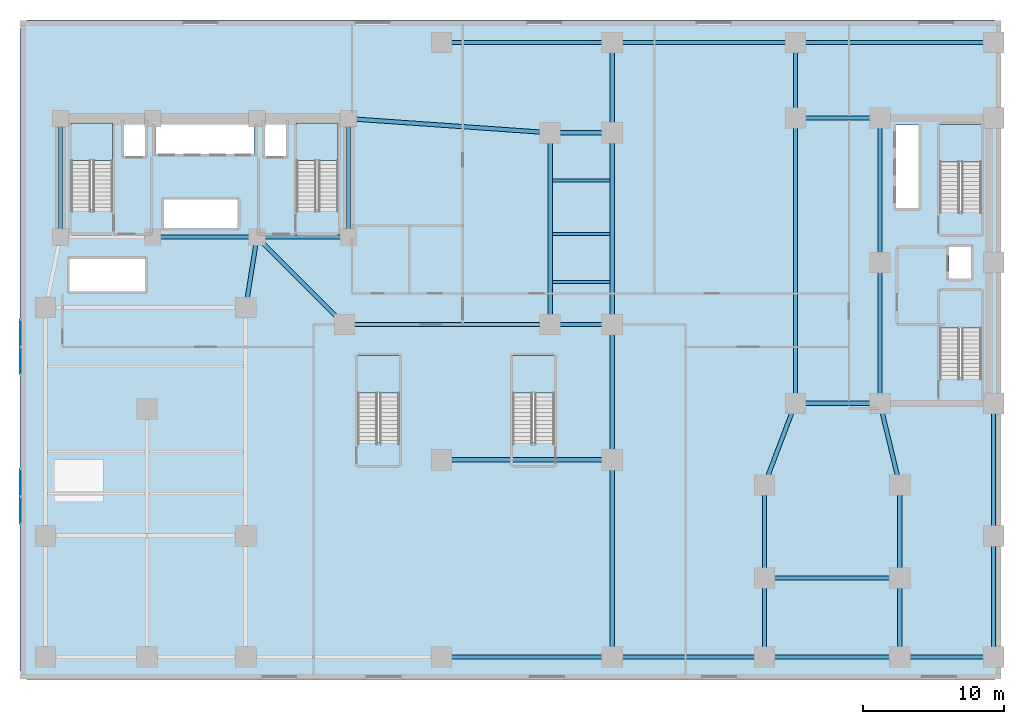
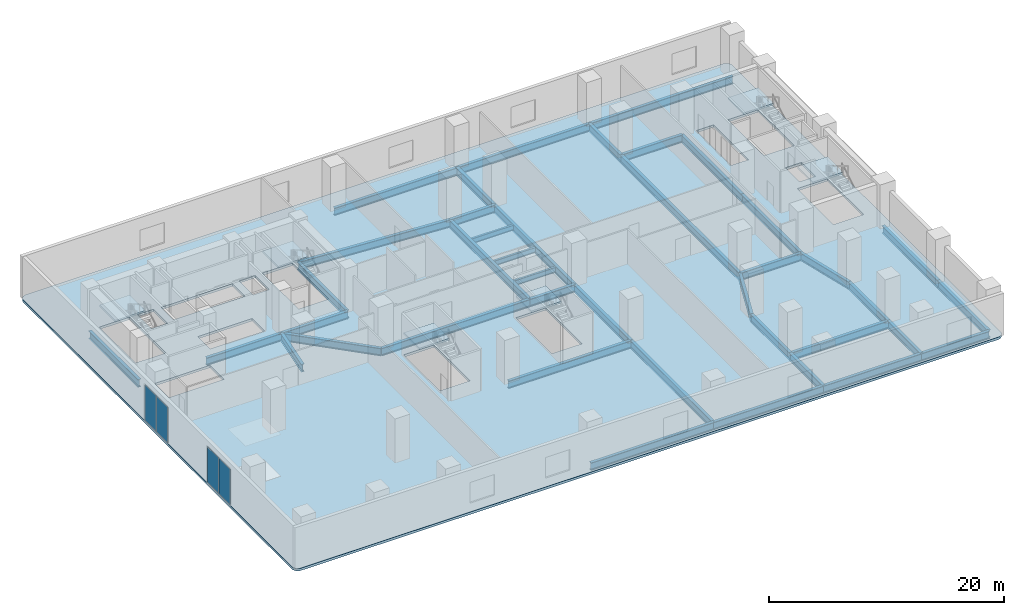
# One storey, part 7 of 14: 41 beams, 7 slabs, 4 plates, 8 elements without a shape of their own.
"""IFC4 building model written with IfcOpenShell, lengths in metres."""

from ifc_helpers import new_model, si_unit, direction, frame, origin, origin_2d, place, context, subcontext, project, spatial, polyline, rectangle, i_section, outline, extrude, material, layer, layer_set, material_profile, profile_set, type_object, element, aggregate, save


model = new_model("IFC4")

# Units and contexts
model_context = context("Model", 3, precision=1e-05, world=origin(), true_north=direction((0.0, 1.0)))
body_context = subcontext(model_context, "Body", "Model", "MODEL_VIEW")
ifc_project = project(units=[si_unit("LENGTHUNIT", "METRE"), si_unit("AREAUNIT", "SQUARE_METRE"), si_unit("VOLUMEUNIT", "CUBIC_METRE"), si_unit("PLANEANGLEUNIT", "RADIAN"), si_unit("MASSUNIT", "GRAM", prefix="KILO")], contexts=[model_context])

# Site, building, storey
site_placement = place(None, origin())
site = spatial("IfcSite", under=ifc_project, at=site_placement, CompositionType="ELEMENT")
building_placement = place(site_placement, origin())
building = spatial("IfcBuilding", under=site, at=building_placement, Name="Kuzgunbayir Cultural Tower", CompositionType="ELEMENT")
storey_placement = place(building_placement, frame((0.0, 0.0, 13.0)))
storey = spatial("IfcBuildingStorey", under=building, at=storey_placement, Name="L03", CompositionType="ELEMENT", Elevation=13.0)

# Beams
ifc_material_1 = material(Name="Steel S355J2", Category="steel")
ifc_material_profile_1 = material_profile(ifc_material_1, i_section(OverallWidth=0.300048828125, OverallDepth=0.800048828125, WebThickness=0.017578125, FlangeThickness=0.032958984375, FilletRadius=0.030029296875, at=origin_2d()), Name="HEB 800")
ifc_profile_set_1 = profile_set([ifc_material_profile_1], Name="Steel S355J2")
beam_type_1 = type_object("IfcBeamType", Name="BM-GIR-HEB800", PredefinedType="BEAM", material=ifc_profile_set_1)
beam_1_placement = place(storey_placement, frame((33.5, 4.0, -0.64990234375), z_axis=(1.0, 0.0, 0.0), x_axis=(0.0, 1.0, 0.0)))
element("IfcBeam", 1, at=beam_1_placement, inside=storey, type_object=beam_type_1, Name="L03 Podium South Girder 4", PredefinedType="BEAM", context=body_context, shape_type="SweptSolid", body=[
    extrude(i_section(OverallWidth=0.300048828125, OverallDepth=0.800048828125, WebThickness=0.017578125, FlangeThickness=0.032958984375, FilletRadius=0.030029296875, at=origin_2d()), origin(), (0.0, 0.0, 1.0), 12.10009765625),
])
beam_2_placement = place(storey_placement, frame((45.60009765625, 4.0, -0.64990234375), z_axis=(1.0, 0.0, 0.0), x_axis=(0.0, 1.0, 0.0)))
element("IfcBeam", 2, at=beam_2_placement, inside=storey, type_object=beam_type_1, Name="L03 Podium South Girder 5", PredefinedType="BEAM", context=body_context, shape_type="SweptSolid", body=[
    extrude(i_section(OverallWidth=0.300048828125, OverallDepth=0.800048828125, WebThickness=0.017578125, FlangeThickness=0.032958984375, FilletRadius=0.030029296875, at=origin_2d()), origin(), (0.0, 0.0, 1.0), 10.7998046875),
])
beam_3_placement = place(storey_placement, frame((56.39990234375, 4.0, -0.64990234375), z_axis=(1.0, 0.0, 0.0), x_axis=(0.0, 1.0, 0.0)))
element("IfcBeam", 3, at=beam_3_placement, inside=storey, type_object=beam_type_1, Name="L03 Podium South Girder 6", PredefinedType="BEAM", context=body_context, shape_type="SweptSolid", body=[
    extrude(i_section(OverallWidth=0.300048828125, OverallDepth=0.800048828125, WebThickness=0.017578125, FlangeThickness=0.032958984375, FilletRadius=0.030029296875, at=origin_2d()), origin(), (0.0, 0.0, 1.0), 9.60009765625),
])
beam_4_placement = place(storey_placement, frame((66.0, 4.0, -0.64990234375), z_axis=(1.0, 0.0, 0.0), x_axis=(0.0, 1.0, 0.0)))
element("IfcBeam", 4, at=beam_4_placement, inside=storey, type_object=beam_type_1, Name="L03 Podium South Girder 7", PredefinedType="BEAM", context=body_context, shape_type="SweptSolid", body=[
    extrude(i_section(OverallWidth=0.300048828125, OverallDepth=0.800048828125, WebThickness=0.017578125, FlangeThickness=0.032958984375, FilletRadius=0.030029296875, at=origin_2d()), origin(), (0.0, 0.0, 1.0), 6.64990234375),
])
beam_5_placement = place(storey_placement, frame((33.5, 47.60009765625, -0.64990234375), z_axis=(1.0, 0.0, 0.0), x_axis=(0.0, 1.0, 0.0)))
element("IfcBeam", 5, at=beam_5_placement, inside=storey, type_object=beam_type_1, Name="L03 Podium North Girder 1", PredefinedType="BEAM", context=body_context, shape_type="SweptSolid", body=[
    extrude(i_section(OverallWidth=0.300048828125, OverallDepth=0.800048828125, WebThickness=0.017578125, FlangeThickness=0.032958984375, FilletRadius=0.030029296875, at=origin_2d()), origin(), (0.0, 0.0, 1.0), 12.10009765625),
])
beam_6_placement = place(storey_placement, frame((45.60009765625, 47.60009765625, -0.64990234375), z_axis=(1.0, 0.0, 0.0), x_axis=(0.0, 1.0, 0.0)))
element("IfcBeam", 6, at=beam_6_placement, inside=storey, type_object=beam_type_1, Name="L03 Podium North Girder 2", PredefinedType="BEAM", context=body_context, shape_type="SweptSolid", body=[
    extrude(i_section(OverallWidth=0.300048828125, OverallDepth=0.800048828125, WebThickness=0.017578125, FlangeThickness=0.032958984375, FilletRadius=0.030029296875, at=origin_2d()), origin(), (0.0, 0.0, 1.0), 13.0),
])
beam_7_placement = place(storey_placement, frame((58.60009765625, 47.60009765625, -0.64990234375), z_axis=(1.0, 0.0, 0.0), x_axis=(0.0, 1.0, 0.0)))
element("IfcBeam", 7, at=beam_7_placement, inside=storey, type_object=beam_type_1, Name="L03 Podium North Girder 3", PredefinedType="BEAM", context=body_context, shape_type="SweptSolid", body=[
    extrude(i_section(OverallWidth=0.300048828125, OverallDepth=0.800048828125, WebThickness=0.017578125, FlangeThickness=0.032958984375, FilletRadius=0.030029296875, at=origin_2d()), origin(), (0.0, 0.0, 1.0), 14.0498046875),
])
beam_8_placement = place(storey_placement, frame((19.60009765625, 28.800048828125, -0.64990234375), z_axis=(0.157952891656, 0.987446648694, 0.0), x_axis=(-0.987446648694, 0.157952891656, 0.0)))
element("IfcBeam", 8, at=beam_8_placement, inside=storey, type_object=beam_type_1, Name="L03 Podium Primary Girder 8", PredefinedType="BEAM", context=body_context, shape_type="SweptSolid", body=[
    extrude(i_section(OverallWidth=0.300048828125, OverallDepth=0.800048828125, WebThickness=0.017578125, FlangeThickness=0.032958984375, FilletRadius=0.030029296875, at=origin_2d()), origin(), (0.0, 0.0, 1.0), 5.0634765625),
])
beam_9_placement = place(storey_placement, frame((20.39990234375, 33.800048828125, -0.64990234375), z_axis=(0.707120702941, -0.707092859158, 0.0), x_axis=(0.707092859158, 0.707120702941, 0.0)))
element("IfcBeam", 9, at=beam_9_placement, inside=storey, type_object=beam_type_1, Name="L03 Podium Primary Girder 9", PredefinedType="BEAM", context=body_context, shape_type="SweptSolid", body=[
    extrude(i_section(OverallWidth=0.300048828125, OverallDepth=0.800048828125, WebThickness=0.017578125, FlangeThickness=0.032958984375, FilletRadius=0.030029296875, at=origin_2d()), origin(), (0.0, 0.0, 1.0), 8.768310546875),
])
beam_10_placement = place(storey_placement, frame((26.60009765625, 27.60009765625, -0.64990234375), z_axis=(1.0, 0.0, 0.0), x_axis=(0.0, 1.0, 0.0)))
element("IfcBeam", 10, at=beam_10_placement, inside=storey, type_object=beam_type_1, Name="L03 Podium Primary Girder 10", PredefinedType="BEAM", context=body_context, shape_type="SweptSolid", body=[
    extrude(i_section(OverallWidth=0.300048828125, OverallDepth=0.800048828125, WebThickness=0.017578125, FlangeThickness=0.032958984375, FilletRadius=0.030029296875, at=origin_2d()), origin(), (0.0, 0.0, 1.0), 14.599853515625),
])
beam_11_placement = place(storey_placement, frame((41.199951171875, 27.60009765625, -0.64990234375), z_axis=(1.0, 0.0, 0.0), x_axis=(0.0, 1.0, 0.0)))
element("IfcBeam", 11, at=beam_11_placement, inside=storey, type_object=beam_type_1, Name="L03 Podium Primary Girder 11", PredefinedType="BEAM", context=body_context, shape_type="SweptSolid", body=[
    extrude(i_section(OverallWidth=0.300048828125, OverallDepth=0.800048828125, WebThickness=0.017578125, FlangeThickness=0.032958984375, FilletRadius=0.030029296875, at=origin_2d()), origin(), (0.0, 0.0, 1.0), 4.400146484375),
])
beam_12_placement = place(storey_placement, frame((26.89990234375, 42.199951171875, -0.64990234375), z_axis=(0.997563840671, -0.06975947094, 0.0), x_axis=(0.06975947094, 0.997563840671, 0.0)))
element("IfcBeam", 12, at=beam_12_placement, inside=storey, type_object=beam_type_1, Name="L03 Podium Primary Girder 12", PredefinedType="BEAM", context=body_context, shape_type="SweptSolid", body=[
    extrude(i_section(OverallWidth=0.300048828125, OverallDepth=0.800048828125, WebThickness=0.017578125, FlangeThickness=0.032958984375, FilletRadius=0.030029296875, at=origin_2d()), origin(), (0.0, 0.0, 1.0), 14.3349609375),
])
beam_13_placement = place(storey_placement, frame((41.199951171875, 41.199951171875, -0.64990234375), z_axis=(1.0, 0.0, 0.0), x_axis=(0.0, 1.0, 0.0)))
element("IfcBeam", 13, at=beam_13_placement, inside=storey, type_object=beam_type_1, Name="L03 Podium Primary Girder 13", PredefinedType="BEAM", context=body_context, shape_type="SweptSolid", body=[
    extrude(i_section(OverallWidth=0.300048828125, OverallDepth=0.800048828125, WebThickness=0.017578125, FlangeThickness=0.032958984375, FilletRadius=0.030029296875, at=origin_2d()), origin(), (0.0, 0.0, 1.0), 4.400146484375),
])
for number, where, z_axis, x_axis, name in (
    (14, (41.199951171875, 27.60009765625, -0.64990234375), (0.0, 1.0, 0.0), (-1.0, 0.0, 0.0), "L03 Podium Primary Girder 14"),
    (15, (45.60009765625, 27.60009765625, -0.64990234375), (0.0, 1.0, 0.0), (-1.0, 0.0, 0.0), "L03 Podium Primary Girder 15"),
):
    element("IfcBeam", number, at=place(storey_placement, frame(where, z_axis=z_axis, x_axis=x_axis)), inside=storey, type_object=beam_type_1, Name=name, PredefinedType="BEAM", context=body_context, shape_type="SweptSolid", body=[
        extrude(i_section(OverallWidth=0.300048828125, OverallDepth=0.800048828125, WebThickness=0.017578125, FlangeThickness=0.032958984375, FilletRadius=0.030029296875, at=origin_2d()), origin(), (0.0, 0.0, 1.0), 13.599853515625),
    ])
beam_14_placement = place(storey_placement, frame((33.5, 18.0, -0.64990234375), z_axis=(1.0, 0.0, 0.0), x_axis=(0.0, 1.0, 0.0)))
element("IfcBeam", 16, at=beam_14_placement, inside=storey, type_object=beam_type_1, Name="L03 Podium Primary Girder 16", PredefinedType="BEAM", context=body_context, shape_type="SweptSolid", body=[
    extrude(i_section(OverallWidth=0.300048828125, OverallDepth=0.800048828125, WebThickness=0.017578125, FlangeThickness=0.032958984375, FilletRadius=0.030029296875, at=origin_2d()), origin(), (0.0, 0.0, 1.0), 12.10009765625),
])
for number, where, z_axis, x_axis, name in (
    (17, (45.60009765625, 18.0, -0.64990234375), (0.0, 1.0, 0.0), (-1.0, 0.0, 0.0), "L03 Podium Primary Girder 17"),
    (18, (56.39990234375, 9.60009765625, -0.64990234375), (1.0, 0.0, 0.0), (0.0, 1.0, 0.0), "L03 Podium Primary Girder 18"),
):
    element("IfcBeam", number, at=place(storey_placement, frame(where, z_axis=z_axis, x_axis=x_axis)), inside=storey, type_object=beam_type_1, Name=name, PredefinedType="BEAM", context=body_context, shape_type="SweptSolid", body=[
        extrude(i_section(OverallWidth=0.300048828125, OverallDepth=0.800048828125, WebThickness=0.017578125, FlangeThickness=0.032958984375, FilletRadius=0.030029296875, at=origin_2d()), origin(), (0.0, 0.0, 1.0), 9.60009765625),
    ])
beam_15_placement = place(storey_placement, frame((56.39990234375, 9.60009765625, -0.64990234375), z_axis=(0.0, 1.0, 0.0), x_axis=(-1.0, 0.0, 0.0)))
element("IfcBeam", 19, at=beam_15_placement, inside=storey, type_object=beam_type_1, Name="L03 Podium Primary Girder 19", PredefinedType="BEAM", context=body_context, shape_type="SweptSolid", body=[
    extrude(i_section(OverallWidth=0.300048828125, OverallDepth=0.800048828125, WebThickness=0.017578125, FlangeThickness=0.032958984375, FilletRadius=0.030029296875, at=origin_2d()), origin(), (0.0, 0.0, 1.0), 6.599853515625),
])
beam_16_placement = place(storey_placement, frame((56.39990234375, 16.199951171875, -0.64990234375), z_axis=(0.354679148754, 0.93498807556, 0.0), x_axis=(-0.93498807556, 0.354679148754, 0.0)))
element("IfcBeam", 20, at=beam_16_placement, inside=storey, type_object=beam_type_1, Name="L03 Podium Primary Girder 20", PredefinedType="BEAM", context=body_context, shape_type="SweptSolid", body=[
    extrude(i_section(OverallWidth=0.300048828125, OverallDepth=0.800048828125, WebThickness=0.017578125, FlangeThickness=0.032958984375, FilletRadius=0.030029296875, at=origin_2d()), origin(), (0.0, 0.0, 1.0), 6.203369140625),
])
beam_17_placement = place(storey_placement, frame((66.0, 9.60009765625, -0.64990234375), z_axis=(0.0, 1.0, 0.0), x_axis=(-1.0, 0.0, 0.0)))
element("IfcBeam", 21, at=beam_17_placement, inside=storey, type_object=beam_type_1, Name="L03 Podium Primary Girder 21", PredefinedType="BEAM", context=body_context, shape_type="SweptSolid", body=[
    extrude(i_section(OverallWidth=0.300048828125, OverallDepth=0.800048828125, WebThickness=0.017578125, FlangeThickness=0.032958984375, FilletRadius=0.030029296875, at=origin_2d()), origin(), (0.0, 0.0, 1.0), 6.599853515625),
])
beam_18_placement = place(storey_placement, frame((66.0, 16.199951171875, -0.64990234375), z_axis=(-0.234623200431, 0.972086392158, 0.0), x_axis=(-0.972086392158, -0.234623200431, 0.0)))
element("IfcBeam", 22, at=beam_18_placement, inside=storey, type_object=beam_type_1, Name="L03 Podium Primary Girder 22", PredefinedType="BEAM", context=body_context, shape_type="SweptSolid", body=[
    extrude(i_section(OverallWidth=0.300048828125, OverallDepth=0.800048828125, WebThickness=0.017578125, FlangeThickness=0.032958984375, FilletRadius=0.030029296875, at=origin_2d()), origin(), (0.0, 0.0, 1.0), 5.966552734375),
])
for number, where, z_axis, x_axis, name in (
    (23, (58.60009765625, 22.0, -0.64990234375), (1.0, 0.0, 0.0), (0.0, 1.0, 0.0), "L03 Podium Primary Girder 23"),
    (24, (58.60009765625, 42.25, -0.64990234375), (1.0, 0.0, 0.0), (0.0, 1.0, 0.0), "L03 Podium Primary Girder 24"),
):
    element("IfcBeam", number, at=place(storey_placement, frame(where, z_axis=z_axis, x_axis=x_axis)), inside=storey, type_object=beam_type_1, Name=name, PredefinedType="BEAM", context=body_context, shape_type="SweptSolid", body=[
        extrude(i_section(OverallWidth=0.300048828125, OverallDepth=0.800048828125, WebThickness=0.017578125, FlangeThickness=0.032958984375, FilletRadius=0.030029296875, at=origin_2d()), origin(), (0.0, 0.0, 1.0), 6.0),
    ])
beam_19_placement = place(storey_placement, frame((58.60009765625, 22.0, -0.64990234375), z_axis=(0.0, 1.0, 0.0), x_axis=(-1.0, 0.0, 0.0)))
element("IfcBeam", 25, at=beam_19_placement, inside=storey, type_object=beam_type_1, Name="L03 Podium Primary Girder 25", PredefinedType="BEAM", context=body_context, shape_type="SweptSolid", body=[
    extrude(i_section(OverallWidth=0.300048828125, OverallDepth=0.800048828125, WebThickness=0.017578125, FlangeThickness=0.032958984375, FilletRadius=0.030029296875, at=origin_2d()), origin(), (0.0, 0.0, 1.0), 20.25),
])
beam_20_placement = place(storey_placement, frame((64.60009765625, 22.0, -0.64990234375), z_axis=(0.0, 1.0, 0.0), x_axis=(-1.0, 0.0, 0.0)))
element("IfcBeam", 26, at=beam_20_placement, inside=storey, type_object=beam_type_1, Name="L03 Podium Primary Girder 26", PredefinedType="BEAM", context=body_context, shape_type="SweptSolid", body=[
    extrude(i_section(OverallWidth=0.300048828125, OverallDepth=0.800048828125, WebThickness=0.017578125, FlangeThickness=0.032958984375, FilletRadius=0.030029296875, at=origin_2d()), origin(), (0.0, 0.0, 1.0), 10.0),
])
beam_21_placement = place(storey_placement, frame((64.60009765625, 32.0, -0.64990234375), z_axis=(0.0, 1.0, 0.0), x_axis=(-1.0, 0.0, 0.0)))
element("IfcBeam", 27, at=beam_21_placement, inside=storey, type_object=beam_type_1, Name="L03 Podium Primary Girder 27", PredefinedType="BEAM", context=body_context, shape_type="SweptSolid", body=[
    extrude(i_section(OverallWidth=0.300048828125, OverallDepth=0.800048828125, WebThickness=0.017578125, FlangeThickness=0.032958984375, FilletRadius=0.030029296875, at=origin_2d()), origin(), (0.0, 0.0, 1.0), 10.25),
])
beam_22_placement = place(storey_placement, frame((13.0, 33.800048828125, -0.64990234375), z_axis=(1.0, 0.0, 0.0), x_axis=(0.0, 1.0, 0.0)))
element("IfcBeam", 28, at=beam_22_placement, inside=storey, type_object=beam_type_1, Name="L03 Podium Primary Girder 29", PredefinedType="BEAM", context=body_context, shape_type="SweptSolid", body=[
    extrude(i_section(OverallWidth=0.300048828125, OverallDepth=0.800048828125, WebThickness=0.017578125, FlangeThickness=0.032958984375, FilletRadius=0.030029296875, at=origin_2d()), origin(), (0.0, 0.0, 1.0), 7.39990234375),
])
beam_23_placement = place(storey_placement, frame((20.39990234375, 33.800048828125, -0.64990234375), z_axis=(1.0, 0.0, 0.0), x_axis=(0.0, 1.0, 0.0)))
element("IfcBeam", 29, at=beam_23_placement, inside=storey, type_object=beam_type_1, Name="L03 Podium Primary Girder 30", PredefinedType="BEAM", context=body_context, shape_type="SweptSolid", body=[
    extrude(i_section(OverallWidth=0.300048828125, OverallDepth=0.800048828125, WebThickness=0.017578125, FlangeThickness=0.032958984375, FilletRadius=0.030029296875, at=origin_2d()), origin(), (0.0, 0.0, 1.0), 6.5),
])
for number, where, z_axis, x_axis, name in (
    (30, (6.449951171875, 33.800048828125, -0.64990234375), (0.0, 1.0, 0.0), (-1.0, 0.0, 0.0), "L03 Podium Primary Girder 31"),
    (31, (26.89990234375, 33.800048828125, -0.64990234375), (0.0, 1.0, 0.0), (-1.0, 0.0, 0.0), "L03 Podium Primary Girder 32"),
):
    element("IfcBeam", number, at=place(storey_placement, frame(where, z_axis=z_axis, x_axis=x_axis)), inside=storey, type_object=beam_type_1, Name=name, PredefinedType="BEAM", context=body_context, shape_type="SweptSolid", body=[
        extrude(i_section(OverallWidth=0.300048828125, OverallDepth=0.800048828125, WebThickness=0.017578125, FlangeThickness=0.032958984375, FilletRadius=0.030029296875, at=origin_2d()), origin(), (0.0, 0.0, 1.0), 8.39990234375),
    ])
beam_24_placement = place(storey_placement, frame((45.60009765625, 4.0, -0.64990234375), z_axis=(0.0, 1.0, 0.0), x_axis=(-1.0, 0.0, 0.0)))
element("IfcBeam", 32, at=beam_24_placement, inside=storey, type_object=beam_type_1, Name="L03 Podium Primary Girder 36", PredefinedType="BEAM", context=body_context, shape_type="SweptSolid", body=[
    extrude(i_section(OverallWidth=0.300048828125, OverallDepth=0.800048828125, WebThickness=0.017578125, FlangeThickness=0.032958984375, FilletRadius=0.030029296875, at=origin_2d()), origin(), (0.0, 0.0, 1.0), 14.0),
])
for number, where, z_axis, x_axis, name in (
    (33, (56.39990234375, 4.0, -0.64990234375), (0.0, 1.0, 0.0), (-1.0, 0.0, 0.0), "L03 Podium Primary Girder 37"),
    (34, (66.0, 4.0, -0.64990234375), (0.0, 1.0, 0.0), (-1.0, 0.0, 0.0), "L03 Podium Primary Girder 38"),
):
    element("IfcBeam", number, at=place(storey_placement, frame(where, z_axis=z_axis, x_axis=x_axis)), inside=storey, type_object=beam_type_1, Name=name, PredefinedType="BEAM", context=body_context, shape_type="SweptSolid", body=[
        extrude(i_section(OverallWidth=0.300048828125, OverallDepth=0.800048828125, WebThickness=0.017578125, FlangeThickness=0.032958984375, FilletRadius=0.030029296875, at=origin_2d()), origin(), (0.0, 0.0, 1.0), 5.60009765625),
    ])
beam_25_placement = place(storey_placement, frame((72.64990234375, 4.0, -0.64990234375), z_axis=(0.0, 1.0, 0.0), x_axis=(-1.0, 0.0, 0.0)))
element("IfcBeam", 35, at=beam_25_placement, inside=storey, type_object=beam_type_1, Name="L03 Podium Primary Girder 39", PredefinedType="BEAM", context=body_context, shape_type="SweptSolid", body=[
    extrude(i_section(OverallWidth=0.300048828125, OverallDepth=0.800048828125, WebThickness=0.017578125, FlangeThickness=0.032958984375, FilletRadius=0.030029296875, at=origin_2d()), origin(), (0.0, 0.0, 1.0), 8.60009765625),
])
beam_26_placement = place(storey_placement, frame((72.64990234375, 12.60009765625, -0.64990234375), z_axis=(0.0, 1.0, 0.0), x_axis=(-1.0, 0.0, 0.0)))
element("IfcBeam", 36, at=beam_26_placement, inside=storey, type_object=beam_type_1, Name="L03 Podium Primary Girder 40", PredefinedType="BEAM", context=body_context, shape_type="SweptSolid", body=[
    extrude(i_section(OverallWidth=0.300048828125, OverallDepth=0.800048828125, WebThickness=0.017578125, FlangeThickness=0.032958984375, FilletRadius=0.030029296875, at=origin_2d()), origin(), (0.0, 0.0, 1.0), 9.39990234375),
])
beam_27_placement = place(storey_placement, frame((45.60009765625, 41.199951171875, -0.64990234375), z_axis=(0.0, 1.0, 0.0), x_axis=(-1.0, 0.0, 0.0)))
element("IfcBeam", 37, at=beam_27_placement, inside=storey, type_object=beam_type_1, Name="L03 Podium Primary Girder 41", PredefinedType="BEAM", context=body_context, shape_type="SweptSolid", body=[
    extrude(i_section(OverallWidth=0.300048828125, OverallDepth=0.800048828125, WebThickness=0.017578125, FlangeThickness=0.032958984375, FilletRadius=0.030029296875, at=origin_2d()), origin(), (0.0, 0.0, 1.0), 6.400146484375),
])
beam_28_placement = place(storey_placement, frame((58.60009765625, 42.25, -0.64990234375), z_axis=(0.0, 1.0, 0.0), x_axis=(-1.0, 0.0, 0.0)))
element("IfcBeam", 38, at=beam_28_placement, inside=storey, type_object=beam_type_1, Name="L03 Podium Primary Girder 42", PredefinedType="BEAM", context=body_context, shape_type="SweptSolid", body=[
    extrude(i_section(OverallWidth=0.300048828125, OverallDepth=0.800048828125, WebThickness=0.017578125, FlangeThickness=0.032958984375, FilletRadius=0.030029296875, at=origin_2d()), origin(), (0.0, 0.0, 1.0), 5.35009765625),
])
ifc_material_profile_2 = material_profile(ifc_material_1, i_section(OverallWidth=0.2099609375, OverallDepth=0.550048828125, WebThickness=0.010986328125, FlangeThickness=0.01708984375, FilletRadius=0.02392578125, at=origin_2d()), Name="IPE 550")
ifc_profile_set_2 = profile_set([ifc_material_profile_2], Name="Steel S355J2")
beam_type_2 = type_object("IfcBeamType", Name="BM-JST-IPE550", PredefinedType="JOIST", material=ifc_profile_set_2)
for number, where, z_axis, x_axis, name in (
    (39, (41.35009765625, 30.60009765625, -0.530029296875), (1.0, 0.0, 0.0), (0.0, 1.0, 0.0), "L03 Podium Joist B"),
    (40, (41.35009765625, 34.0, -0.530029296875), (1.0, 0.0, 0.0), (0.0, 1.0, 0.0), "L03 Podium Joist B"),
    (41, (41.35009765625, 37.800048828125, -0.530029296875), (1.0, 0.0, 0.0), (0.0, 1.0, 0.0), "L03 Podium Joist B"),
):
    element("IfcBeam", number, at=place(storey_placement, frame(where, z_axis=z_axis, x_axis=x_axis)), inside=storey, type_object=beam_type_2, Name=name, PredefinedType="JOIST", context=body_context, shape_type="SweptSolid", body=[
        extrude(i_section(OverallWidth=0.2099609375, OverallDepth=0.550048828125, WebThickness=0.010986328125, FlangeThickness=0.01708984375, FilletRadius=0.02392578125, at=origin_2d()), origin(), (0.0, 0.0, 1.0), 4.099853515625),
    ])

# Curtain wall, plates
ifc_material_2 = material(Name="Anodised Aluminium Framing", Category="aluminium")
curtain_wall_type = type_object("IfcCurtainWallType", Name="CW01-POD-FOYER", PredefinedType="NOTDEFINED", material=ifc_material_2)
curtain_wall_1_placement = place(storey_placement, origin())
curtain_wall_1 = element("IfcCurtainWall", 42, at=curtain_wall_1_placement, inside=storey, type_object=curtain_wall_type, Name="L03 Civic Foyer Curtain Wall South", PredefinedType="NOTDEFINED")
ifc_material_3 = material(Name="Solar-Control Triple Glazing", Category="glass")
ifc_layer_1 = layer(ifc_material_3, 0.035888671875)
ifc_layer_set_1 = layer_set([ifc_layer_1], Name="Solar-Control Triple Glazing")
plate_type = type_object("IfcPlateType", Name="PLT-CW-GLASS-36", PredefinedType="CURTAIN_PANEL", material=ifc_layer_set_1)
plate_1_placement = place(storey_placement, frame((3.6201171875, 14.418701171875, 0.06005859375), z_axis=(0.0, 0.0, 1.0), x_axis=(0.0, 1.0, 0.0)))
plate_1 = element("IfcPlate", 43, at=plate_1_placement, type_object=plate_type, Name="CW01 panel 1.1", PredefinedType="CURTAIN_PANEL", context=body_context, shape_type="SweptSolid", body=[
    extrude(rectangle(XDim=1.887451171875, YDim=0.035888671875, at=origin_2d()), origin(), (0.0, 0.0, 1.0), 3.679931640625),
])
plate_2_placement = place(storey_placement, frame((3.6201171875, 16.38134765625, 0.06005859375), z_axis=(0.0, 0.0, 1.0), x_axis=(0.0, 1.0, 0.0)))
plate_2 = element("IfcPlate", 44, at=plate_2_placement, type_object=plate_type, Name="CW01 panel 2.1", PredefinedType="CURTAIN_PANEL", context=body_context, shape_type="SweptSolid", body=[
    extrude(rectangle(XDim=1.887451171875, YDim=0.035888671875, at=origin_2d()), origin(), (0.0, 0.0, 1.0), 3.679931640625),
])
aggregate(curtain_wall_1, [plate_1, plate_2])

curtain_wall_2_placement = place(storey_placement, origin())
curtain_wall_2 = element("IfcCurtainWall", 45, at=curtain_wall_2_placement, inside=storey, type_object=curtain_wall_type, Name="L03 Civic Foyer Curtain Wall North", PredefinedType="NOTDEFINED")
plate_3_placement = place(storey_placement, frame((3.6201171875, 25.018798828125, 0.06005859375), z_axis=(0.0, 0.0, 1.0), x_axis=(0.0, 1.0, 0.0)))
plate_3 = element("IfcPlate", 46, at=plate_3_placement, type_object=plate_type, Name="CW01 panel 1.1", PredefinedType="CURTAIN_PANEL", context=body_context, shape_type="SweptSolid", body=[
    extrude(rectangle(XDim=1.887451171875, YDim=0.035888671875, at=origin_2d()), origin(), (0.0, 0.0, 1.0), 3.679931640625),
])
plate_4_placement = place(storey_placement, frame((3.6201171875, 26.981201171875, 0.06005859375), z_axis=(0.0, 0.0, 1.0), x_axis=(0.0, 1.0, 0.0)))
plate_4 = element("IfcPlate", 47, at=plate_4_placement, type_object=plate_type, Name="CW01 panel 2.1", PredefinedType="CURTAIN_PANEL", context=body_context, shape_type="SweptSolid", body=[
    extrude(rectangle(XDim=1.887451171875, YDim=0.035888671875, at=origin_2d()), origin(), (0.0, 0.0, 1.0), 3.679931640625),
])
aggregate(curtain_wall_2, [plate_3, plate_4])

# Stair, slab
ifc_material_4 = material(Name="Concrete C40/50", Category="concrete")
stair_type_1 = type_object("IfcStairType", Name="STR-EXIT-CORE", PredefinedType="HALF_TURN_STAIR", material=ifc_material_4)
stair_1_placement = place(storey_placement, origin())
stair_1 = element("IfcStair", 48, at=stair_1_placement, inside=storey, type_object=stair_type_1, Name="L03 ST-1", PredefinedType="HALF_TURN_STAIR")
ifc_layer_2 = layer(ifc_material_4, 0.179931640625)
ifc_layer_set_2 = layer_set([ifc_layer_2], Name="Concrete C40/50")
slab_type_1 = type_object("IfcSlabType", Name="SLB-LANDING-180", PredefinedType="LANDING", material=ifc_layer_set_2)
slab_1_placement = place(storey_placement, frame((0.0, 0.0, 2.10009765625)))
slab_1 = element("IfcSlab", 49, at=slab_1_placement, type_object=slab_type_1, Name="ST-1 landing 1", PredefinedType="LANDING", context=body_context, shape_type="SweptSolid", body=[
    extrude(outline(polyline([(10.159912109375, 39.239990234375), (10.159912109375, 41.89990234375), (7.199951171875, 41.89990234375), (7.199951171875, 39.239990234375), (10.159912109375, 39.239990234375)])), origin(), (0.0, 0.0, 1.0), 0.199951171875),
])
aggregate(stair_1, [slab_1])

stair_2_placement = place(storey_placement, origin())
stair_2 = element("IfcStair", 50, at=stair_2_placement, inside=storey, type_object=stair_type_1, Name="L03 ST-2", PredefinedType="HALF_TURN_STAIR")
slab_2_placement = place(storey_placement, frame((0.0, 0.0, 2.10009765625)))
slab_2 = element("IfcSlab", 51, at=slab_2_placement, type_object=slab_type_1, Name="ST-2 landing 1", PredefinedType="LANDING", context=body_context, shape_type="SweptSolid", body=[
    extrude(outline(polyline([(26.159912109375, 39.239990234375), (26.159912109375, 41.89990234375), (23.199951171875, 41.89990234375), (23.199951171875, 39.239990234375), (26.159912109375, 39.239990234375)])), origin(), (0.0, 0.0, 1.0), 0.199951171875),
])
aggregate(stair_2, [slab_2])

stair_3_placement = place(storey_placement, origin())
stair_3 = element("IfcStair", 52, at=stair_3_placement, inside=storey, type_object=stair_type_1, Name="L03 ST-3", PredefinedType="HALF_TURN_STAIR")
slab_3_placement = place(storey_placement, frame((0.0, 0.0, 2.10009765625)))
slab_3 = element("IfcSlab", 53, at=slab_3_placement, type_object=slab_type_1, Name="ST-3 landing 1", PredefinedType="LANDING", context=body_context, shape_type="SweptSolid", body=[
    extrude(outline(polyline([(71.800048828125, 27.340087890625), (71.800048828125, 30.0), (68.840087890625, 30.0), (68.840087890625, 27.340087890625), (71.800048828125, 27.340087890625)])), origin(), (0.0, 0.0, 1.0), 0.199951171875),
])
aggregate(stair_3, [slab_3])

stair_4_placement = place(storey_placement, origin())
stair_4 = element("IfcStair", 54, at=stair_4_placement, inside=storey, type_object=stair_type_1, Name="L03 ST-4", PredefinedType="HALF_TURN_STAIR")
slab_4_placement = place(storey_placement, frame((0.0, 0.0, 2.10009765625)))
slab_4 = element("IfcSlab", 55, at=slab_4_placement, type_object=slab_type_1, Name="ST-4 landing 1", PredefinedType="LANDING", context=body_context, shape_type="SweptSolid", body=[
    extrude(outline(polyline([(71.800048828125, 39.139892578125), (71.800048828125, 41.800048828125), (68.840087890625, 41.800048828125), (68.840087890625, 39.139892578125), (71.800048828125, 39.139892578125)])), origin(), (0.0, 0.0, 1.0), 0.199951171875),
])
aggregate(stair_4, [slab_4])

stair_type_2 = type_object("IfcStairType", Name="STR-PODIUM-ESC", PredefinedType="HALF_TURN_STAIR", material=ifc_material_4)
stair_5_placement = place(storey_placement, origin())
stair_5 = element("IfcStair", 56, at=stair_5_placement, inside=storey, type_object=stair_type_2, Name="L03 ST-5", PredefinedType="HALF_TURN_STAIR")
slab_5_placement = place(storey_placement, frame((0.0, 0.0, 2.10009765625)))
slab_5 = element("IfcSlab", 57, at=slab_5_placement, type_object=slab_type_1, Name="ST-5 landing 1", PredefinedType="LANDING", context=body_context, shape_type="SweptSolid", body=[
    extrude(outline(polyline([(30.5, 22.739990234375), (30.5, 25.39990234375), (27.5400390625, 25.39990234375), (27.5400390625, 22.739990234375), (30.5, 22.739990234375)])), origin(), (0.0, 0.0, 1.0), 0.199951171875),
])
aggregate(stair_5, [slab_5])

stair_6_placement = place(storey_placement, origin())
stair_6 = element("IfcStair", 58, at=stair_6_placement, inside=storey, type_object=stair_type_2, Name="L03 ST-6", PredefinedType="HALF_TURN_STAIR")
slab_6_placement = place(storey_placement, frame((0.0, 0.0, 2.10009765625)))
slab_6 = element("IfcSlab", 59, at=slab_6_placement, type_object=slab_type_1, Name="ST-6 landing 1", PredefinedType="LANDING", context=body_context, shape_type="SweptSolid", body=[
    extrude(outline(polyline([(41.5, 22.739990234375), (41.5, 25.39990234375), (38.5400390625, 25.39990234375), (38.5400390625, 22.739990234375), (41.5, 22.739990234375)])), origin(), (0.0, 0.0, 1.0), 0.199951171875),
])
aggregate(stair_6, [slab_6])

# Slab
ifc_layer_3 = layer(ifc_material_4, 0.25)
ifc_layer_set_3 = layer_set([ifc_layer_3], Name="Concrete C40/50")
slab_type_2 = type_object("IfcSlabType", Name="SLB-POD-250", PredefinedType="FLOOR", material=ifc_layer_set_3)
slab_7_placement = place(storey_placement, frame((0.0, 0.0, -0.25)))
element("IfcSlab", 60, at=slab_7_placement, inside=storey, type_object=slab_type_2, Name="L03 Podium Structural Floor Slab", PredefinedType="FLOOR", context=body_context, shape_type="SweptSolid", body=[
    extrude(outline(polyline([(72.60009765625, 2.39990234375), (72.719970703125, 2.409912109375), (72.830078125, 2.449951171875), (72.929931640625, 2.5), (73.02001953125, 2.580078125), (73.10009765625, 2.669921875), (73.14990234375, 2.77001953125), (73.18994140625, 2.8798828125), (73.199951171875, 3.0), (73.199951171875, 48.60009765625), (73.18994140625, 48.719970703125), (73.14990234375, 48.830078125), (73.10009765625, 48.929931640625), (73.02001953125, 49.02001953125), (72.929931640625, 49.10009765625), (72.830078125, 49.14990234375), (72.719970703125, 49.18994140625), (72.60009765625, 49.199951171875), (4.199951171875, 49.199951171875), (4.080078125, 49.18994140625), (3.969970703125, 49.14990234375), (3.8701171875, 49.10009765625), (3.780029296875, 49.02001953125), (3.699951171875, 48.929931640625), (3.64990234375, 48.830078125), (3.610107421875, 48.719970703125), (3.60009765625, 48.60009765625), (3.60009765625, 3.0), (3.610107421875, 2.8798828125), (3.64990234375, 2.77001953125), (3.699951171875, 2.669921875), (3.780029296875, 2.580078125), (3.8701171875, 2.5), (3.969970703125, 2.449951171875), (4.080078125, 2.409912109375), (4.199951171875, 2.39990234375), (72.60009765625, 2.39990234375)]), holes=[polyline([(7.199951171875, 35.760009765625), (7.199951171875, 41.89990234375), (10.159912109375, 41.89990234375), (10.159912109375, 35.760009765625), (7.199951171875, 35.760009765625)]), polyline([(23.199951171875, 35.760009765625), (23.199951171875, 41.89990234375), (26.159912109375, 41.89990234375), (26.159912109375, 35.760009765625), (23.199951171875, 35.760009765625)]), polyline([(68.840087890625, 23.860107421875), (68.840087890625, 30.0), (71.800048828125, 30.0), (71.800048828125, 23.860107421875), (68.840087890625, 23.860107421875)]), polyline([(68.840087890625, 35.659912109375), (68.840087890625, 41.800048828125), (71.800048828125, 41.800048828125), (71.800048828125, 35.659912109375), (68.840087890625, 35.659912109375)]), polyline([(27.5400390625, 19.260009765625), (27.5400390625, 25.39990234375), (30.5, 25.39990234375), (30.5, 19.260009765625), (27.5400390625, 19.260009765625)]), polyline([(38.5400390625, 19.260009765625), (38.5400390625, 25.39990234375), (41.5, 25.39990234375), (41.5, 19.260009765625), (38.5400390625, 19.260009765625)]), polyline([(13.199951171875, 39.699951171875), (13.199951171875, 41.800048828125), (20.199951171875, 41.800048828125), (20.199951171875, 39.699951171875), (13.199951171875, 39.699951171875)]), polyline([(13.75, 34.39990234375), (13.75, 36.5), (19.080078125, 36.5), (19.080078125, 34.39990234375), (13.75, 34.39990234375)]), polyline([(7.10009765625, 29.89990234375), (7.10009765625, 32.300048828125), (12.5, 32.300048828125), (12.5, 29.89990234375), (7.10009765625, 29.89990234375)]), polyline([(10.89990234375, 39.5), (10.89990234375, 41.89990234375), (12.5, 41.89990234375), (12.5, 39.5), (10.89990234375, 39.5)]), polyline([(20.89990234375, 39.5), (20.89990234375, 41.89990234375), (22.5, 41.89990234375), (22.5, 39.5), (20.89990234375, 39.5)]), polyline([(65.699951171875, 35.800048828125), (65.699951171875, 41.75), (67.39990234375, 41.75), (67.39990234375, 35.800048828125), (65.699951171875, 35.800048828125)]), polyline([(69.5, 30.800048828125), (69.5, 33.199951171875), (71.10009765625, 33.199951171875), (71.10009765625, 30.800048828125), (69.5, 30.800048828125)])]), origin(), (0.0, 0.0, 1.0), 0.25),
])

save(model, "model.ifc")
